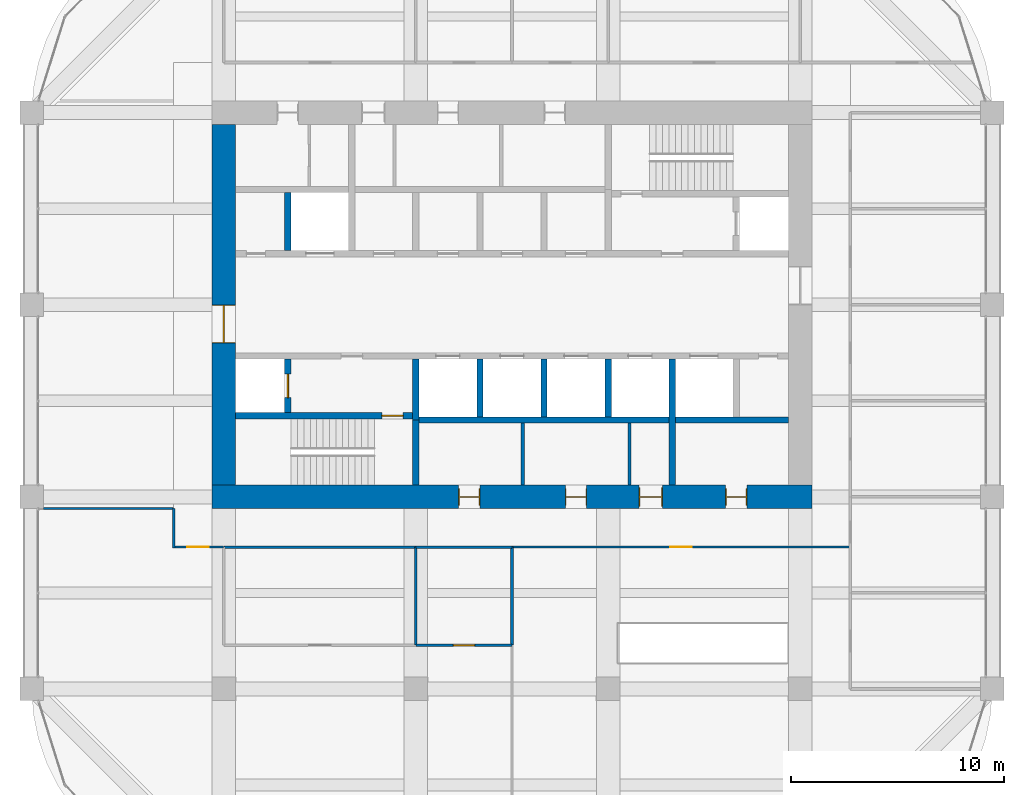
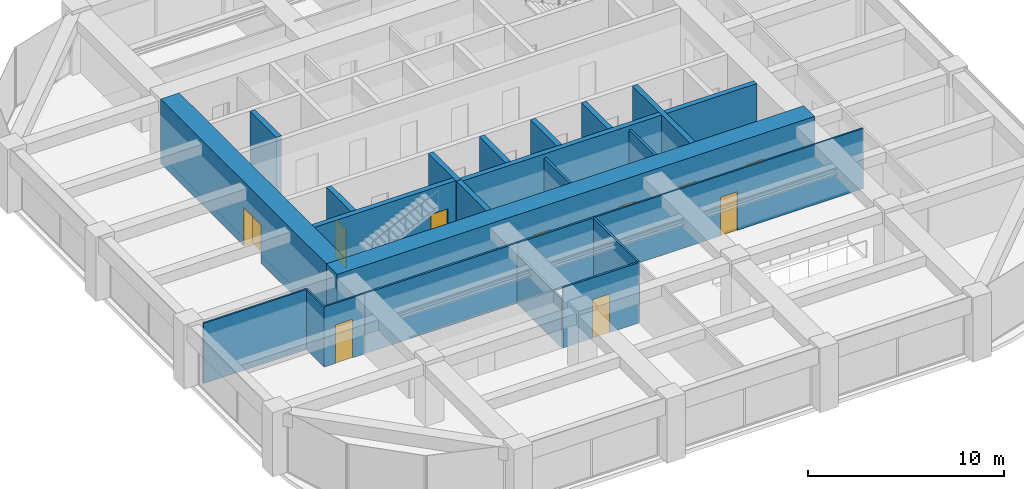
# One storey, part 41 of 44: 23 walls, 10 doors, 10 openings.
"""IFC4 building model written with IfcOpenShell, lengths in metres."""

from ifc_helpers import new_model, si_unit, direction, frame, frame_2d, origin, place, context, subcontext, project, spatial, rectangle, extrude, material, layer, layer_set, type_object, element, fill, save


model = new_model("IFC4")

# Units and contexts
model_context = context("Model", 3, precision=1e-05, world=origin(), true_north=direction((0.0, 1.0)))
body_context = subcontext(model_context, "Body", "Model", "MODEL_VIEW")
ifc_project = project(units=[si_unit("LENGTHUNIT", "METRE"), si_unit("AREAUNIT", "SQUARE_METRE"), si_unit("VOLUMEUNIT", "CUBIC_METRE"), si_unit("PLANEANGLEUNIT", "RADIAN"), si_unit("MASSUNIT", "GRAM", prefix="KILO")], contexts=[model_context])

# Site, building, storey
site_placement = place(None, origin())
site = spatial("IfcSite", under=ifc_project, at=site_placement, CompositionType="ELEMENT")
building_placement = place(site_placement, origin())
building = spatial("IfcBuilding", under=site, at=building_placement, Name="Zorevar Civic Tower", CompositionType="ELEMENT")
storey_placement = place(building_placement, frame((0.0, 0.0, 255.39990234375)))
storey = spatial("IfcBuildingStorey", under=building, at=storey_placement, Name="L62", CompositionType="ELEMENT", Elevation=255.39990234375)

# Wall, openings, doors
ifc_material_1 = material(Name="Concrete C50/60", Category="concrete")
ifc_layer_1 = layer(ifc_material_1, 1.10009765625)
ifc_layer_set_1 = layer_set([ifc_layer_1], Name="Core wall 1100")
wall_type_1 = type_object("IfcWallType", Name="Core wall 1100", PredefinedType="SHEAR", material=ifc_layer_set_1)
wall_1_placement = place(storey_placement, frame((17.449951171875, 18.0, 0.0), z_axis=(0.0, 0.0, 1.0), x_axis=(1.0, 0.0, 0.0)))
wall_1 = element("IfcWall", 1, at=wall_1_placement, inside=storey, type_object=wall_type_1, Name="Core wall S L62", PredefinedType="SHEAR", context=body_context, shape_type="SweptSolid", body=[
    extrude(rectangle(XDim=28.10009765625, YDim=1.10009765625, at=frame_2d((14.050048828125, 0.0))), origin(), (0.0, 0.0, 1.0), 4.0),
])
opening_1_placement = place(wall_1_placement, frame((11.550048828125, 0.0, 0.0)))
opening_1 = element("IfcOpeningElement", 2, at=opening_1_placement, cuts=wall_1, Name="Opening L62.03", PredefinedType="OPENING", context=body_context, shape_type="SweptSolid", body=[
    extrude(rectangle(XDim=1.0, YDim=2.39990234375, at=frame_2d((0.5, 1.199951171875))), frame((0.0, 0.56005859375, 0.0), z_axis=(0.0, -1.0, 0.0), x_axis=(1.0, 0.0, 0.0)), (0.0, 0.0, 1.0), 1.1201171875),
])
opening_2_placement = place(wall_1_placement, frame((16.550048828125, 0.0, 0.0)))
opening_2 = element("IfcOpeningElement", 3, at=opening_2_placement, cuts=wall_1, Name="Opening L62.04", PredefinedType="OPENING", context=body_context, shape_type="SweptSolid", body=[
    extrude(rectangle(XDim=1.0, YDim=2.39990234375, at=frame_2d((0.5, 1.199951171875))), frame((0.0, 0.56005859375, 0.0), z_axis=(0.0, -1.0, 0.0), x_axis=(1.0, 0.0, 0.0)), (0.0, 0.0, 1.0), 1.1201171875),
])
opening_3_placement = place(wall_1_placement, frame((20.0, 0.0, 0.0)))
opening_3 = element("IfcOpeningElement", 4, at=opening_3_placement, cuts=wall_1, Name="Opening L62.05", PredefinedType="OPENING", context=body_context, shape_type="SweptSolid", body=[
    extrude(rectangle(XDim=1.10009765625, YDim=2.39990234375, at=frame_2d((0.550048828125, 1.199951171875))), frame((0.0, 0.56005859375, 0.0), z_axis=(0.0, -1.0, 0.0), x_axis=(1.0, 0.0, 0.0)), (0.0, 0.0, 1.0), 1.1201171875),
])
opening_4_placement = place(wall_1_placement, frame((24.050048828125, 0.0, 0.0)))
opening_4 = element("IfcOpeningElement", 5, at=opening_4_placement, cuts=wall_1, Name="Opening L62.06", PredefinedType="OPENING", context=body_context, shape_type="SweptSolid", body=[
    extrude(rectangle(XDim=1.0, YDim=2.39990234375, at=frame_2d((0.5, 1.199951171875))), frame((0.0, 0.56005859375, 0.0), z_axis=(0.0, -1.0, 0.0), x_axis=(1.0, 0.0, 0.0)), (0.0, 0.0, 1.0), 1.1201171875),
])
ifc_material_2 = material(Name="Timber door set", Category="wood")
door_type_1 = type_object("IfcDoorType", Name="Door D1 1000x2400", OperationType="SINGLE_SWING_LEFT", PredefinedType="DOOR", material=ifc_material_2)
door_1_placement = place(opening_1_placement, origin())
door_1 = element("IfcDoor", 6, at=door_1_placement, inside=storey, type_object=door_type_1, Name="Door L62 02", OperationType="SINGLE_SWING_LEFT", OverallHeight=2.39990234375, OverallWidth=1.0, PredefinedType="DOOR", context=body_context, shape_type="SweptSolid", body=[
    extrude(rectangle(XDim=1.0, YDim=2.39990234375, at=frame_2d((0.5, 1.199951171875))), frame((0.0, 0.02490234375, 0.0), z_axis=(0.0, -1.0, 0.0), x_axis=(1.0, 0.0, 0.0)), (0.0, 0.0, 1.0), 0.050048828125),
    extrude(rectangle(XDim=0.04, YDim=2.39990234375, at=frame_2d((0.02001953125, 1.199951171875))), frame((0.0, 0.39990234375, 0.0), z_axis=(0.0, -1.0, 0.0), x_axis=(1.0, 0.0, 0.0)), (0.0, 0.0, 1.0), 0.800048828125),
    extrude(rectangle(XDim=0.04, YDim=2.39990234375, at=frame_2d((0.97998046875, 1.199951171875))), frame((0.0, 0.39990234375, 0.0), z_axis=(0.0, -1.0, 0.0), x_axis=(1.0, 0.0, 0.0)), (0.0, 0.0, 1.0), 0.800048828125),
    extrude(rectangle(XDim=1.0, YDim=0.04, at=frame_2d((0.5, 2.3798828125))), frame((0.0, 0.39990234375, 0.0), z_axis=(0.0, -1.0, 0.0), x_axis=(1.0, 0.0, 0.0)), (0.0, 0.0, 1.0), 0.800048828125),
])
fill(opening_1, door_1)
door_2_placement = place(opening_2_placement, origin())
door_2 = element("IfcDoor", 7, at=door_2_placement, inside=storey, type_object=door_type_1, Name="Door L62 03", OperationType="SINGLE_SWING_RIGHT", OverallHeight=2.39990234375, OverallWidth=1.0, PredefinedType="DOOR", context=body_context, shape_type="SweptSolid", body=[
    extrude(rectangle(XDim=1.0, YDim=2.39990234375, at=frame_2d((0.5, 1.199951171875))), frame((0.0, 0.02490234375, 0.0), z_axis=(0.0, -1.0, 0.0), x_axis=(1.0, 0.0, 0.0)), (0.0, 0.0, 1.0), 0.050048828125),
    extrude(rectangle(XDim=0.04, YDim=2.39990234375, at=frame_2d((0.02001953125, 1.199951171875))), frame((0.0, 0.39990234375, 0.0), z_axis=(0.0, -1.0, 0.0), x_axis=(1.0, 0.0, 0.0)), (0.0, 0.0, 1.0), 0.800048828125),
    extrude(rectangle(XDim=0.04, YDim=2.39990234375, at=frame_2d((0.97998046875, 1.199951171875))), frame((0.0, 0.39990234375, 0.0), z_axis=(0.0, -1.0, 0.0), x_axis=(1.0, 0.0, 0.0)), (0.0, 0.0, 1.0), 0.800048828125),
    extrude(rectangle(XDim=1.0, YDim=0.04, at=frame_2d((0.5, 2.3798828125))), frame((0.0, 0.39990234375, 0.0), z_axis=(0.0, -1.0, 0.0), x_axis=(1.0, 0.0, 0.0)), (0.0, 0.0, 1.0), 0.800048828125),
])
fill(opening_2, door_2)
door_3_placement = place(opening_4_placement, origin())
door_3 = element("IfcDoor", 8, at=door_3_placement, inside=storey, type_object=door_type_1, Name="Door L62 05", OperationType="SINGLE_SWING_RIGHT", OverallHeight=2.39990234375, OverallWidth=1.0, PredefinedType="DOOR", context=body_context, shape_type="SweptSolid", body=[
    extrude(rectangle(XDim=1.0, YDim=2.39990234375, at=frame_2d((0.5, 1.199951171875))), frame((0.0, 0.02490234375, 0.0), z_axis=(0.0, -1.0, 0.0), x_axis=(1.0, 0.0, 0.0)), (0.0, 0.0, 1.0), 0.050048828125),
    extrude(rectangle(XDim=0.04, YDim=2.39990234375, at=frame_2d((0.02001953125, 1.199951171875))), frame((0.0, 0.39990234375, 0.0), z_axis=(0.0, -1.0, 0.0), x_axis=(1.0, 0.0, 0.0)), (0.0, 0.0, 1.0), 0.800048828125),
    extrude(rectangle(XDim=0.04, YDim=2.39990234375, at=frame_2d((0.97998046875, 1.199951171875))), frame((0.0, 0.39990234375, 0.0), z_axis=(0.0, -1.0, 0.0), x_axis=(1.0, 0.0, 0.0)), (0.0, 0.0, 1.0), 0.800048828125),
    extrude(rectangle(XDim=1.0, YDim=0.04, at=frame_2d((0.5, 2.3798828125))), frame((0.0, 0.39990234375, 0.0), z_axis=(0.0, -1.0, 0.0), x_axis=(1.0, 0.0, 0.0)), (0.0, 0.0, 1.0), 0.800048828125),
])
fill(opening_4, door_3)
ifc_material_3 = material(Name="Timber door set", Category="wood")
door_type_2 = type_object("IfcDoorType", Name="Door D5 1100x2400", OperationType="SINGLE_SWING_LEFT", PredefinedType="DOOR", material=ifc_material_3)
door_4_placement = place(opening_3_placement, origin())
door_4 = element("IfcDoor", 9, at=door_4_placement, inside=storey, type_object=door_type_2, Name="Door L62 04", OperationType="SINGLE_SWING_RIGHT", OverallHeight=2.39990234375, OverallWidth=1.10009765625, PredefinedType="DOOR", context=body_context, shape_type="SweptSolid", body=[
    extrude(rectangle(XDim=1.10009765625, YDim=2.39990234375, at=frame_2d((0.550048828125, 1.199951171875))), frame((0.0, 0.02490234375, 0.0), z_axis=(0.0, -1.0, 0.0), x_axis=(1.0, 0.0, 0.0)), (0.0, 0.0, 1.0), 0.050048828125),
    extrude(rectangle(XDim=0.04, YDim=2.39990234375, at=frame_2d((0.02001953125, 1.199951171875))), frame((0.0, 0.43994140625, 0.0), z_axis=(0.0, -1.0, 0.0), x_axis=(1.0, 0.0, 0.0)), (0.0, 0.0, 1.0), 0.880126953125),
    extrude(rectangle(XDim=0.04, YDim=2.39990234375, at=frame_2d((1.080078125, 1.199951171875))), frame((0.0, 0.43994140625, 0.0), z_axis=(0.0, -1.0, 0.0), x_axis=(1.0, 0.0, 0.0)), (0.0, 0.0, 1.0), 0.880126953125),
    extrude(rectangle(XDim=1.10009765625, YDim=0.04, at=frame_2d((0.550048828125, 2.3798828125))), frame((0.0, 0.43994140625, 0.0), z_axis=(0.0, -1.0, 0.0), x_axis=(1.0, 0.0, 0.0)), (0.0, 0.0, 1.0), 0.880126953125),
])
fill(opening_3, door_4)

# Wall, opening, door
wall_2_placement = place(storey_placement, frame((18.0, 35.449951171875, 0.0), z_axis=(0.0, 0.0, 1.0), x_axis=(0.0, -1.0, 0.0)))
wall_2 = element("IfcWall", 10, at=wall_2_placement, inside=storey, type_object=wall_type_1, Name="Core wall W L62", PredefinedType="SHEAR", context=body_context, shape_type="SweptSolid", body=[
    extrude(rectangle(XDim=16.89990234375, YDim=1.10009765625, at=frame_2d((8.449951171875, 0.0))), origin(), (0.0, 0.0, 1.0), 4.0),
])
opening_5_placement = place(wall_2_placement, frame((8.449951171875, 0.0, 0.0)))
opening_5 = element("IfcOpeningElement", 11, at=opening_5_placement, cuts=wall_2, Name="Opening L62.01", PredefinedType="OPENING", context=body_context, shape_type="SweptSolid", body=[
    extrude(rectangle(XDim=1.800048828125, YDim=2.39990234375, at=frame_2d((0.89990234375, 1.199951171875))), frame((0.0, 0.56005859375, 0.0), z_axis=(0.0, -1.0, 0.0), x_axis=(1.0, 0.0, 0.0)), (0.0, 0.0, 1.0), 1.1201171875),
])
ifc_material_4 = material(Name="Steel door set", Category="steel")
door_type_3 = type_object("IfcDoorType", Name="Fire door FD2 1800x2400", OperationType="DOUBLE_DOOR_DOUBLE_SWING", PredefinedType="DOOR", material=ifc_material_4)
door_5_placement = place(opening_5_placement, origin())
door_5 = element("IfcDoor", 12, at=door_5_placement, inside=storey, type_object=door_type_3, Name="Door L62 00", OperationType="DOUBLE_DOOR_DOUBLE_SWING", OverallHeight=2.39990234375, OverallWidth=1.800048828125, PredefinedType="DOOR", context=body_context, shape_type="SweptSolid", body=[
    extrude(rectangle(XDim=1.800048828125, YDim=2.39990234375, at=frame_2d((0.89990234375, 1.199951171875))), frame((0.0, 0.030029296875, 0.0), z_axis=(0.0, -1.0, 0.0), x_axis=(1.0, 0.0, 0.0)), (0.0, 0.0, 1.0), 0.06005859375),
    extrude(rectangle(XDim=0.04, YDim=2.39990234375, at=frame_2d((0.02001953125, 1.199951171875))), frame((0.0, 0.5498046875, 0.0), z_axis=(0.0, -1.0, 0.0), x_axis=(1.0, 0.0, 0.0)), (0.0, 0.0, 1.0), 1.099609375),
    extrude(rectangle(XDim=0.04, YDim=2.39990234375, at=frame_2d((1.780029296875, 1.199951171875))), frame((0.0, 0.5498046875, 0.0), z_axis=(0.0, -1.0, 0.0), x_axis=(1.0, 0.0, 0.0)), (0.0, 0.0, 1.0), 1.099609375),
    extrude(rectangle(XDim=1.800048828125, YDim=0.04, at=frame_2d((0.89990234375, 2.3798828125))), frame((0.0, 0.5498046875, 0.0), z_axis=(0.0, -1.0, 0.0), x_axis=(1.0, 0.0, 0.0)), (0.0, 0.0, 1.0), 1.099609375),
])
fill(opening_5, door_5)

ifc_material_5 = material(Name="Laminated glass in black aluminium frame", Category="aluminium")
ifc_layer_2 = layer(ifc_material_5, 0.10009765625)
ifc_layer_set_2 = layer_set([ifc_layer_2], Name="Glazed partition 100")
wall_type_2 = type_object("IfcWallType", Name="Glazed partition 100", PredefinedType="PARTITIONING", material=ifc_layer_set_2)
wall_3_placement = place(storey_placement, frame((15.60009765625, 15.64990234375, 0.0), z_axis=(0.0, 0.0, 1.0), x_axis=(1.0, 0.0, 0.0)))
wall_3 = element("IfcWall", 13, at=wall_3_placement, inside=storey, type_object=wall_type_2, Name="Glazed partition 100 L62", PredefinedType="PARTITIONING", context=body_context, shape_type="SweptSolid", body=[
    extrude(rectangle(XDim=2.389892578125, YDim=0.10009765625, at=frame_2d((1.19482421875, 0.0))), origin(), (0.0, 0.0, 1.0), 3.75),
])
opening_6_placement = place(wall_3_placement, frame((0.695068359375, 0.0, 0.0)))
opening_6 = element("IfcOpeningElement", 14, at=opening_6_placement, cuts=wall_3, Name="Opening L62.19", PredefinedType="OPENING", context=body_context, shape_type="SweptSolid", body=[
    extrude(rectangle(XDim=1.0, YDim=2.39990234375, at=frame_2d((0.5, 1.199951171875))), frame((0.0, 0.06005859375, 0.0), z_axis=(0.0, -1.0, 0.0), x_axis=(1.0, 0.0, 0.0)), (0.0, 0.0, 1.0), 0.1201171875),
])
ifc_material_6 = material(Name="Timber door set", Category="wood")
door_type_4 = type_object("IfcDoorType", Name="Glazed door GD1 1000x2400", OperationType="SINGLE_SWING_LEFT", PredefinedType="DOOR", material=ifc_material_6)
door_6_placement = place(opening_6_placement, origin())
door_6 = element("IfcDoor", 15, at=door_6_placement, inside=storey, type_object=door_type_4, Name="Door L62 D1", OperationType="SINGLE_SWING_RIGHT", OverallHeight=2.39990234375, OverallWidth=1.0, PredefinedType="DOOR", context=body_context, shape_type="SweptSolid", body=[
    extrude(rectangle(XDim=1.0, YDim=2.39990234375, at=frame_2d((0.5, 1.199951171875))), frame((0.0, 0.02001953125, 0.0), z_axis=(0.0, -1.0, 0.0), x_axis=(1.0, 0.0, 0.0)), (0.0, 0.0, 1.0), 0.0400390625),
])
fill(opening_6, door_6)

wall_4_placement = place(storey_placement, frame((31.510009765625, 15.64990234375, 0.0), z_axis=(0.0, 0.0, 1.0), x_axis=(1.0, 0.0, 0.0)))
wall_4 = element("IfcWall", 16, at=wall_4_placement, inside=storey, type_object=wall_type_2, Name="Glazed partition 100 L62", PredefinedType="PARTITIONING", context=body_context, shape_type="SweptSolid", body=[
    extrude(rectangle(XDim=15.830078125, YDim=0.10009765625, at=frame_2d((7.9150390625, 0.0))), origin(), (0.0, 0.0, 1.0), 3.75),
])
opening_7_placement = place(wall_4_placement, frame((7.4150390625, 0.0, 0.0)))
opening_7 = element("IfcOpeningElement", 17, at=opening_7_placement, cuts=wall_4, Name="Opening L62.20", PredefinedType="OPENING", context=body_context, shape_type="SweptSolid", body=[
    extrude(rectangle(XDim=1.0, YDim=2.39990234375, at=frame_2d((0.5, 1.199951171875))), frame((0.0, 0.06005859375, 0.0), z_axis=(0.0, -1.0, 0.0), x_axis=(1.0, 0.0, 0.0)), (0.0, 0.0, 1.0), 0.1201171875),
])
door_7_placement = place(opening_7_placement, origin())
door_7 = element("IfcDoor", 18, at=door_7_placement, inside=storey, type_object=door_type_4, Name="Door L62 D1", OperationType="SINGLE_SWING_LEFT", OverallHeight=2.39990234375, OverallWidth=1.0, PredefinedType="DOOR", context=body_context, shape_type="SweptSolid", body=[
    extrude(rectangle(XDim=1.0, YDim=2.39990234375, at=frame_2d((0.5, 1.199951171875))), frame((0.0, 0.02001953125, 0.0), z_axis=(0.0, -1.0, 0.0), x_axis=(1.0, 0.0, 0.0)), (0.0, 0.0, 1.0), 0.0400390625),
])
fill(opening_7, door_7)

# Walls
wall_5_placement = place(storey_placement, frame((9.550048828125, 17.449951171875, 0.0), z_axis=(0.0, 0.0, 1.0), x_axis=(1.0, 0.0, 0.0)))
element("IfcWall", 19, at=wall_5_placement, inside=storey, type_object=wall_type_2, Name="Glazed partition 100 L62", PredefinedType="PARTITIONING", context=body_context, shape_type="SweptSolid", body=[
    extrude(rectangle(XDim=6.099853515625, YDim=0.10009765625, at=frame_2d((3.0498046875, 0.0))), origin(), (0.0, 0.0, 1.0), 3.75),
])
wall_6_placement = place(storey_placement, frame((15.64990234375, 15.60009765625, 0.0), z_axis=(0.0, 0.0, 1.0), x_axis=(0.0, 1.0, 0.0)))
element("IfcWall", 20, at=wall_6_placement, inside=storey, type_object=wall_type_2, Name="Glazed partition 100 L62", PredefinedType="PARTITIONING", context=body_context, shape_type="SweptSolid", body=[
    extrude(rectangle(XDim=1.849853515625, YDim=0.10009765625, at=frame_2d((0.9248046875, 0.0))), origin(), (0.0, 0.0, 1.0), 3.75),
])

# Wall, opening, door
ifc_material_7 = material(Name="Concrete C40/50", Category="concrete")
ifc_layer_3 = layer(ifc_material_7, 0.300048828125)
ifc_layer_set_3 = layer_set([ifc_layer_3], Name="Inner core wall 300")
wall_type_3 = type_object("IfcWallType", Name="Inner core wall 300", PredefinedType="SHEAR", material=ifc_layer_set_3)
wall_7_placement = place(storey_placement, frame((18.550048828125, 21.800048828125, 0.0), z_axis=(0.0, 0.0, 1.0), x_axis=(1.0, 0.0, 0.0)))
wall_7 = element("IfcWall", 21, at=wall_7_placement, inside=storey, type_object=wall_type_3, Name="Inner core wall S00 L62", PredefinedType="SHEAR", context=body_context, shape_type="SweptSolid", body=[
    extrude(rectangle(XDim=8.300048828125, YDim=0.300048828125, at=frame_2d((4.14990234375, 0.0))), origin(), (0.0, 0.0, 1.0), 4.0),
])
opening_8_placement = place(wall_7_placement, frame((6.85009765625, 0.0, 0.0)))
opening_8 = element("IfcOpeningElement", 22, at=opening_8_placement, cuts=wall_7, Name="Opening L62.11", PredefinedType="OPENING", context=body_context, shape_type="SweptSolid", body=[
    extrude(rectangle(XDim=1.0, YDim=2.39990234375, at=frame_2d((0.5, 1.199951171875))), frame((0.0, 0.159912109375, 0.0), z_axis=(0.0, -1.0, 0.0), x_axis=(1.0, 0.0, 0.0)), (0.0, 0.0, 1.0), 0.320068359375),
])
ifc_material_8 = material(Name="Steel door set", Category="steel")
door_type_5 = type_object("IfcDoorType", Name="Fire door FD1 1000x2400", OperationType="SINGLE_SWING_LEFT", PredefinedType="DOOR", material=ifc_material_8)
door_8_placement = place(opening_8_placement, origin())
door_8 = element("IfcDoor", 23, at=door_8_placement, inside=storey, type_object=door_type_5, Name="Door L62 10", OperationType="SINGLE_SWING_RIGHT", OverallHeight=2.39990234375, OverallWidth=1.0, PredefinedType="DOOR", context=body_context, shape_type="SweptSolid", body=[
    extrude(rectangle(XDim=1.0, YDim=2.39990234375, at=frame_2d((0.5, 1.199951171875))), frame((0.0, 0.030029296875, 0.0), z_axis=(0.0, -1.0, 0.0), x_axis=(1.0, 0.0, 0.0)), (0.0, 0.0, 1.0), 0.06005859375),
])
fill(opening_8, door_8)

# Wall
wall_8_placement = place(storey_placement, frame((27.0, 18.550048828125, 0.0), z_axis=(0.0, 0.0, 1.0), x_axis=(0.0, 1.0, 0.0)))
element("IfcWall", 24, at=wall_8_placement, inside=storey, type_object=wall_type_3, Name="Inner core wall S01 L62", PredefinedType="SHEAR", context=body_context, shape_type="SweptSolid", body=[
    extrude(rectangle(XDim=3.050048828125, YDim=0.300048828125, at=frame_2d((1.52490234375, 0.0))), origin(), (0.0, 0.0, 1.0), 4.0),
])

# Wall, opening, door
wall_9_placement = place(storey_placement, frame((21.0, 21.949951171875, 0.0), z_axis=(0.0, 0.0, 1.0), x_axis=(0.0, 1.0, 0.0)))
wall_9 = element("IfcWall", 25, at=wall_9_placement, inside=storey, type_object=wall_type_3, Name="Inner core wall S02 L62", PredefinedType="SHEAR", context=body_context, shape_type="SweptSolid", body=[
    extrude(rectangle(XDim=2.5, YDim=0.300048828125, at=frame_2d((1.25, 0.0))), origin(), (0.0, 0.0, 1.0), 4.0),
])
opening_9_placement = place(wall_9_placement, frame((0.699951171875, 0.0, 0.0)))
opening_9 = element("IfcOpeningElement", 26, at=opening_9_placement, cuts=wall_9, Name="Opening L62.FL1", PredefinedType="OPENING", context=body_context, shape_type="SweptSolid", body=[
    extrude(rectangle(XDim=1.10009765625, YDim=2.39990234375, at=frame_2d((0.550048828125, 1.199951171875))), frame((0.0, 0.159912109375, 0.0), z_axis=(0.0, -1.0, 0.0), x_axis=(1.0, 0.0, 0.0)), (0.0, 0.0, 1.0), 0.320068359375),
])
ifc_material_9 = material(Name="Steel door set", Category="steel")
door_type_6 = type_object("IfcDoorType", Name="Firefighting lift landing door LD3 1100x2400", OperationType="DOUBLE_DOOR_SLIDING", PredefinedType="DOOR", material=ifc_material_9)
door_9_placement = place(opening_9_placement, origin())
door_9 = element("IfcDoor", 27, at=door_9_placement, inside=storey, type_object=door_type_6, Name="Landing door FL1 L62", OperationType="DOUBLE_DOOR_SLIDING", OverallHeight=2.39990234375, OverallWidth=1.10009765625, PredefinedType="DOOR", context=body_context, shape_type="SweptSolid", body=[
    extrude(rectangle(XDim=1.10009765625, YDim=2.39990234375, at=frame_2d((0.550048828125, 1.199951171875))), frame((0.0, 0.030029296875, 0.0), z_axis=(0.0, -1.0, 0.0), x_axis=(1.0, 0.0, 0.0)), (0.0, 0.0, 1.0), 0.06005859375),
])
fill(opening_9, door_9)

# Walls
wall_10_placement = place(storey_placement, frame((27.14990234375, 21.60009765625, 0.0), z_axis=(0.0, 0.0, 1.0), x_axis=(1.0, 0.0, 0.0)))
element("IfcWall", 28, at=wall_10_placement, inside=storey, type_object=wall_type_3, Name="Inner core wall S04 L62", PredefinedType="SHEAR", context=body_context, shape_type="SweptSolid", body=[
    extrude(rectangle(XDim=17.300048828125, YDim=0.300048828125, at=frame_2d((8.64990234375, 0.0))), origin(), (0.0, 0.0, 1.0), 4.0),
])
for number, where, z_axis, x_axis, name in (
    (29, (30.0, 21.75, 0.0), (0.0, 0.0, 1.0), (0.0, 1.0, 0.0), "Inner core wall S05 L62"),
    (30, (33.0, 21.75, 0.0), (0.0, 0.0, 1.0), (0.0, 1.0, 0.0), "Inner core wall S06 L62"),
    (31, (36.0, 21.75, 0.0), (0.0, 0.0, 1.0), (0.0, 1.0, 0.0), "Inner core wall S07 L62"),
):
    element("IfcWall", number, at=place(storey_placement, frame(where, z_axis=z_axis, x_axis=x_axis)), inside=storey, type_object=wall_type_3, Name=name, PredefinedType="SHEAR", context=body_context, shape_type="SweptSolid", body=[
        extrude(rectangle(XDim=2.699951171875, YDim=0.300048828125, at=frame_2d((1.35009765625, 0.0))), origin(), (0.0, 0.0, 1.0), 4.0),
    ])
wall_11_placement = place(storey_placement, frame((39.0, 18.550048828125, 0.0), z_axis=(0.0, 0.0, 1.0), x_axis=(0.0, 1.0, 0.0)))
element("IfcWall", 32, at=wall_11_placement, inside=storey, type_object=wall_type_3, Name="Inner core wall S08 L62", PredefinedType="SHEAR", context=body_context, shape_type="SweptSolid", body=[
    extrude(rectangle(XDim=5.89990234375, YDim=0.300048828125, at=frame_2d((2.949951171875, 0.0))), origin(), (0.0, 0.0, 1.0), 4.0),
])
wall_12_placement = place(storey_placement, frame((21.0, 29.550048828125, 0.0), z_axis=(0.0, 0.0, 1.0), x_axis=(0.0, 1.0, 0.0)))
element("IfcWall", 33, at=wall_12_placement, inside=storey, type_object=wall_type_3, Name="Inner core wall N09 L62", PredefinedType="SHEAR", context=body_context, shape_type="SweptSolid", body=[
    extrude(rectangle(XDim=2.699951171875, YDim=0.300048828125, at=frame_2d((1.35009765625, 0.0))), origin(), (0.0, 0.0, 1.0), 4.0),
])
wall_13_placement = place(storey_placement, frame((27.0, 21.60009765625, 0.0), z_axis=(0.0, 0.0, 1.0), x_axis=(0.0, 1.0, 0.0)))
element("IfcWall", 34, at=wall_13_placement, inside=storey, type_object=wall_type_3, Name="Inner core wall S10 L62", PredefinedType="SHEAR", context=body_context, shape_type="SweptSolid", body=[
    extrude(rectangle(XDim=2.849853515625, YDim=0.300048828125, at=frame_2d((1.4248046875, 0.0))), origin(), (0.0, 0.0, 1.0), 4.0),
])

# Wall, opening, door
ifc_material_10 = material(Name="Gypsum board on steel studs", Category="steel")
ifc_layer_4 = layer(ifc_material_10, 0.1201171875)
ifc_layer_set_4 = layer_set([ifc_layer_4], Name="Partition 120")
wall_type_4 = type_object("IfcWallType", Name="Partition 120", PredefinedType="PARTITIONING", material=ifc_layer_set_4)
wall_14_placement = place(storey_placement, frame((27.0, 11.050048828125, 0.0), z_axis=(0.0, 0.0, 1.0), x_axis=(1.0, 0.0, 0.0)))
wall_14 = element("IfcWall", 35, at=wall_14_placement, inside=storey, type_object=wall_type_4, Name="Partition 120 L62", PredefinedType="PARTITIONING", context=body_context, shape_type="SweptSolid", body=[
    extrude(rectangle(XDim=4.5, YDim=0.1201171875, at=frame_2d((2.25, 0.0))), origin(), (0.0, 0.0, 1.0), 3.75),
])
opening_10_placement = place(wall_14_placement, frame((1.75, 0.0, 0.0)))
opening_10 = element("IfcOpeningElement", 36, at=opening_10_placement, cuts=wall_14, Name="Opening L62.17", PredefinedType="OPENING", context=body_context, shape_type="SweptSolid", body=[
    extrude(rectangle(XDim=1.0, YDim=2.39990234375, at=frame_2d((0.5, 1.199951171875))), frame((0.0, 0.070068359375, 0.0), z_axis=(0.0, -1.0, 0.0), x_axis=(1.0, 0.0, 0.0)), (0.0, 0.0, 1.0), 0.14013671875),
])
door_10_placement = place(opening_10_placement, origin())
door_10 = element("IfcDoor", 37, at=door_10_placement, inside=storey, type_object=door_type_1, Name="Door L62 D1", OperationType="SINGLE_SWING_RIGHT", OverallHeight=2.39990234375, OverallWidth=1.0, PredefinedType="DOOR", context=body_context, shape_type="SweptSolid", body=[
    extrude(rectangle(XDim=1.0, YDim=2.39990234375, at=frame_2d((0.5, 1.199951171875))), frame((0.0, 0.02490234375, 0.0), z_axis=(0.0, -1.0, 0.0), x_axis=(1.0, 0.0, 0.0)), (0.0, 0.0, 1.0), 0.050048828125),
])
fill(opening_10, door_10)

# Walls
wall_15_placement = place(storey_placement, frame((18.0, 15.64990234375, 0.0), z_axis=(0.0, 0.0, 1.0), x_axis=(1.0, 0.0, 0.0)))
element("IfcWall", 38, at=wall_15_placement, inside=storey, type_object=wall_type_4, Name="Partition 120 L62", PredefinedType="PARTITIONING", context=body_context, shape_type="SweptSolid", body=[
    extrude(rectangle(XDim=9.0, YDim=0.1201171875, at=frame_2d((4.5, 0.0))), origin(), (0.0, 0.0, 1.0), 3.75),
])
wall_16_placement = place(storey_placement, frame((27.0, 15.64990234375, 0.0), z_axis=(0.0, 0.0, 1.0), x_axis=(1.0, 0.0, 0.0)))
element("IfcWall", 39, at=wall_16_placement, inside=storey, type_object=wall_type_4, Name="Partition 120 L62", PredefinedType="PARTITIONING", context=body_context, shape_type="SweptSolid", body=[
    extrude(rectangle(XDim=4.5, YDim=0.1201171875, at=frame_2d((2.25, 0.0))), origin(), (0.0, 0.0, 1.0), 3.75),
])
wall_17_placement = place(storey_placement, frame((27.0, 11.050048828125, 0.0), z_axis=(0.0, 0.0, 1.0), x_axis=(0.0, 1.0, 0.0)))
element("IfcWall", 40, at=wall_17_placement, inside=storey, type_object=wall_type_4, Name="Partition 120 L62", PredefinedType="PARTITIONING", context=body_context, shape_type="SweptSolid", body=[
    extrude(rectangle(XDim=4.599853515625, YDim=0.1201171875, at=frame_2d((2.2998046875, 0.0))), origin(), (0.0, 0.0, 1.0), 3.050048828125),
])
wall_18_placement = place(storey_placement, frame((31.5, 11.050048828125, 0.0), z_axis=(0.0, 0.0, 1.0), x_axis=(0.0, 1.0, 0.0)))
element("IfcWall", 41, at=wall_18_placement, inside=storey, type_object=wall_type_4, Name="Partition 120 L62", PredefinedType="PARTITIONING", context=body_context, shape_type="SweptSolid", body=[
    extrude(rectangle(XDim=4.599853515625, YDim=0.1201171875, at=frame_2d((2.2998046875, 0.0))), origin(), (0.0, 0.0, 1.0), 3.75),
])
ifc_material_11 = material(Name="Gypsum board on steel studs, moisture resistant", Category="steel")
ifc_layer_5 = layer(ifc_material_11, 0.14990234375)
ifc_layer_set_5 = layer_set([ifc_layer_5], Name="WC partition 150")
wall_type_5 = type_object("IfcWallType", Name="WC partition 150", PredefinedType="PARTITIONING", material=ifc_layer_set_5)
for number, where, z_axis, x_axis, name in (
    (42, (32.0, 18.550048828125, 0.0), (0.0, 0.0, 1.0), (0.0, 1.0, 0.0), "WC partition L62"),
    (43, (37.0, 18.550048828125, 0.0), (0.0, 0.0, 1.0), (0.0, 1.0, 0.0), "WC partition L62"),
):
    element("IfcWall", number, at=place(storey_placement, frame(where, z_axis=z_axis, x_axis=x_axis)), inside=storey, type_object=wall_type_5, Name=name, PredefinedType="PARTITIONING", context=body_context, shape_type="SweptSolid", body=[
        extrude(rectangle(XDim=2.89990234375, YDim=0.14990234375, at=frame_2d((1.449951171875, 0.0))), origin(), (0.0, 0.0, 1.0), 3.75),
    ])

save(model, "model.ifc")
